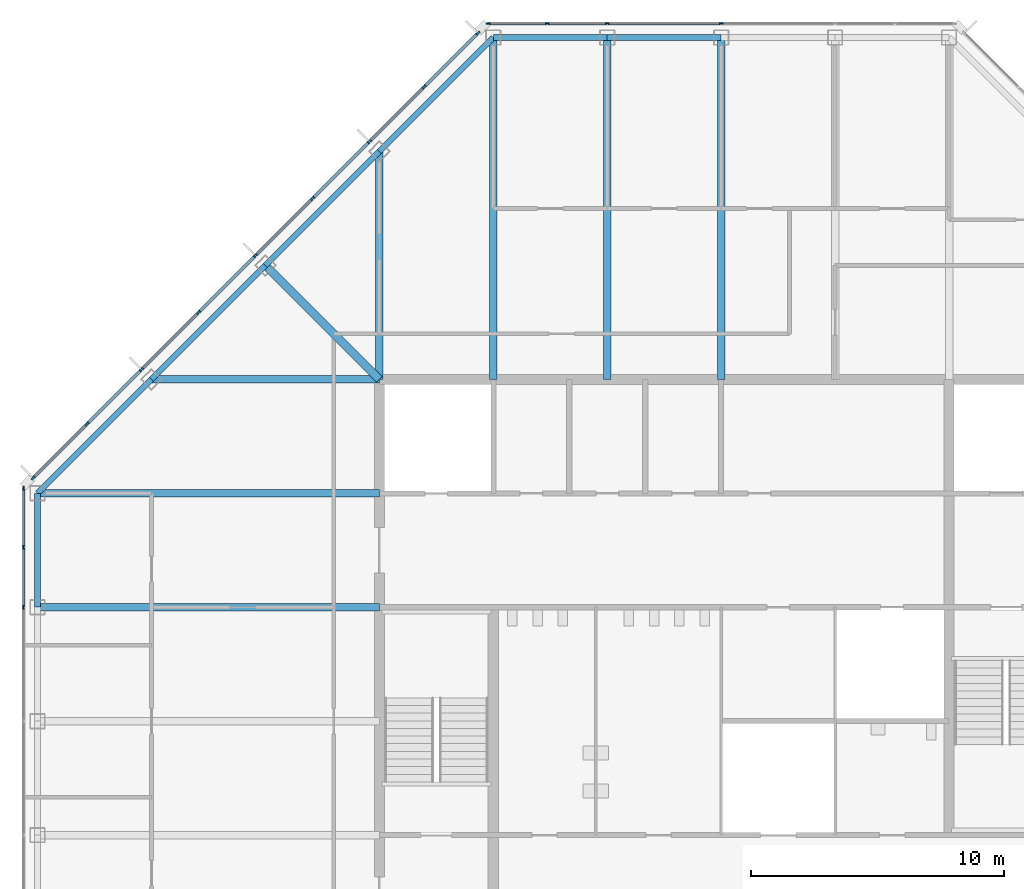
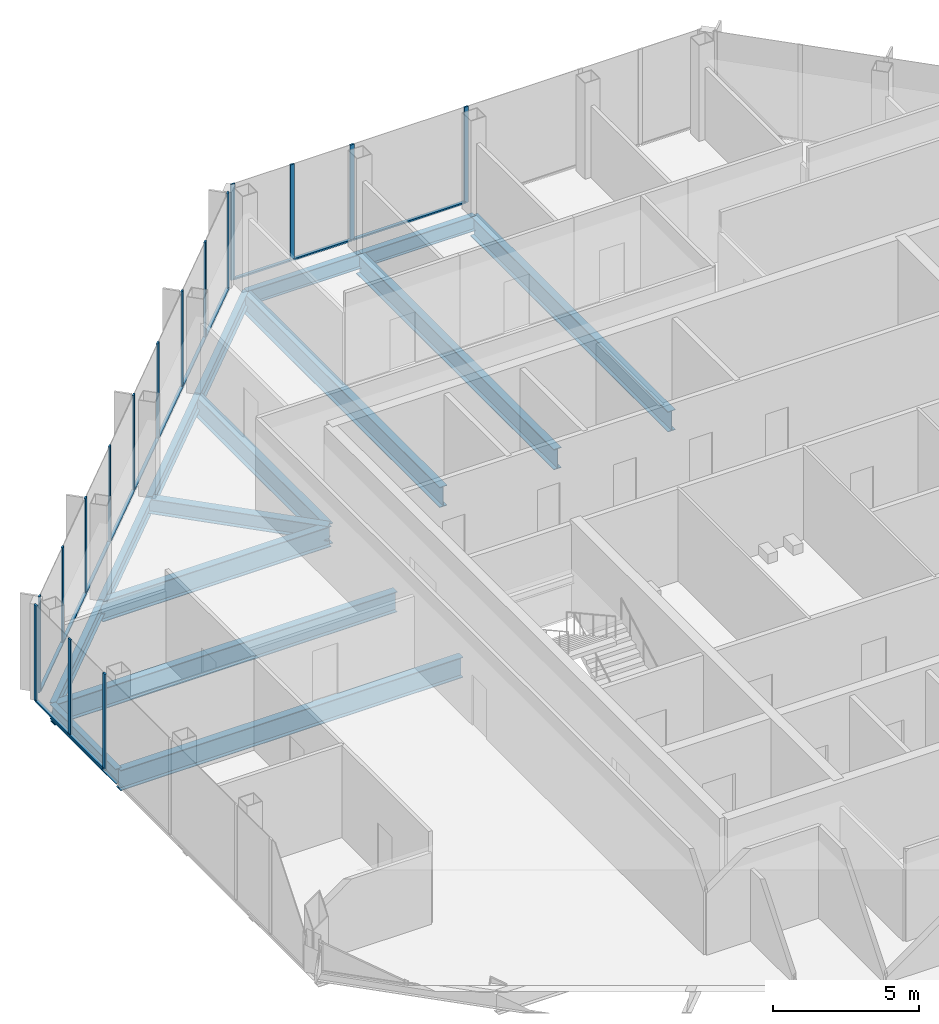
# One storey, part 6 of 14: 29 members, 15 beams, 3 elements without a shape of their own.
"""IFC4 building model written with IfcOpenShell, lengths in metres."""

from ifc_helpers import new_model, si_unit, direction, frame, origin, origin_2d, place, context, subcontext, project, spatial, rectangle, i_section, extrude, material, material_profile, profile_set, type_object, element, aggregate, save


model = new_model("IFC4")

# Units and contexts
model_context = context("Model", 3, precision=1e-05, world=origin(), true_north=direction((0.0, 1.0)))
body_context = subcontext(model_context, "Body", "Model", "MODEL_VIEW")
ifc_project = project(units=[si_unit("LENGTHUNIT", "METRE"), si_unit("AREAUNIT", "SQUARE_METRE"), si_unit("VOLUMEUNIT", "CUBIC_METRE"), si_unit("PLANEANGLEUNIT", "RADIAN"), si_unit("MASSUNIT", "GRAM", prefix="KILO")], contexts=[model_context])

# Site, building, storey
site_placement = place(None, origin())
site = spatial("IfcSite", under=ifc_project, at=site_placement, CompositionType="ELEMENT")
building_placement = place(site_placement, origin())
building = spatial("IfcBuilding", under=site, at=building_placement, Name="Corais Broadcast Tower", CompositionType="ELEMENT")
storey_placement = place(building_placement, frame((0.0, 0.0, 290.60009765625)))
storey = spatial("IfcBuildingStorey", under=building, at=storey_placement, Name="L68", CompositionType="ELEMENT", Elevation=290.60009765625)

# Beams
ifc_material_1 = material(Name="Steel ASTM A572 Grade 50", Category="steel")
ifc_material_profile_1 = material_profile(ifc_material_1, i_section(OverallWidth=0.323974609375, OverallDepth=0.611083984375, WebThickness=0.0126953125, FlangeThickness=0.01904296875, at=origin_2d()), Name="W610x155")
ifc_profile_set_1 = profile_set([ifc_material_profile_1], Name="Steel ASTM A572 Grade 50")
beam_type_1 = type_object("IfcBeamType", Name="Corner diagonal W610x155", PredefinedType="BEAM", material=ifc_profile_set_1)
beam_1_placement = place(storey_placement, frame((9.0, 45.0, -0.465576171875), z_axis=(0.707106781187, -0.707106781187, 0.0), x_axis=(0.707106781187, 0.707106781187, 0.0)))
element("IfcBeam", 1, at=beam_1_placement, inside=storey, type_object=beam_type_1, Name="B6 L/5 to K/6", PredefinedType="BEAM", context=body_context, shape_type="SweptSolid", body=[
    extrude(i_section(OverallWidth=0.323974609375, OverallDepth=0.611083984375, WebThickness=0.0126953125, FlangeThickness=0.01904296875, at=origin_2d()), origin(), (0.0, 0.0, 1.0), 6.364013671875),
])
ifc_material_2 = material(Name="Steel ASTM A572 Grade 50", Category="steel")
ifc_material_profile_2 = material_profile(ifc_material_2, i_section(OverallWidth=0.2939453125, OverallDepth=0.85107421875, WebThickness=0.01611328125, FlangeThickness=0.02685546875, at=origin_2d()), Name="W840x226")
ifc_profile_set_2 = profile_set([ifc_material_profile_2], Name="Steel ASTM A572 Grade 50")
beam_type_2 = type_object("IfcBeamType", Name="Floor beam W840x226", PredefinedType="BEAM", material=ifc_profile_set_2)
for number, where, z_axis, x_axis, name in (
    (2, (0.0, 31.5, -0.585693359375), (1.0, 0.0, 0.0), (0.0, 1.0, 0.0), "B1 H/3 to H/6"),
    (3, (0.0, 36.0, -0.585693359375), (1.0, 0.0, 0.0), (0.0, 1.0, 0.0), "B1 J/3 to J/6"),
):
    element("IfcBeam", number, at=place(storey_placement, frame(where, z_axis=z_axis, x_axis=x_axis)), inside=storey, type_object=beam_type_2, Name=name, PredefinedType="BEAM", context=body_context, shape_type="SweptSolid", body=[
        extrude(i_section(OverallWidth=0.2939453125, OverallDepth=0.85107421875, WebThickness=0.01611328125, FlangeThickness=0.02685546875, at=origin_2d()), origin(), (0.0, 0.0, 1.0), 13.5),
    ])
beam_2_placement = place(storey_placement, frame((13.5, 49.5, -0.585693359375), z_axis=(0.0, -1.0, 0.0), x_axis=(1.0, 0.0, 0.0)))
element("IfcBeam", 4, at=beam_2_placement, inside=storey, type_object=beam_type_2, Name="B1 M/6 to K/6", PredefinedType="BEAM", context=body_context, shape_type="SweptSolid", body=[
    extrude(i_section(OverallWidth=0.2939453125, OverallDepth=0.85107421875, WebThickness=0.01611328125, FlangeThickness=0.02685546875, at=origin_2d()), origin(), (0.0, 0.0, 1.0), 9.0),
])
for number, where, z_axis, x_axis, name in (
    (5, (18.0, 54.0, -0.585693359375), (0.0, -1.0, 0.0), (1.0, 0.0, 0.0), "B1 N/7 to K/7"),
    (6, (22.5, 54.0, -0.585693359375), (0.0, -1.0, 0.0), (1.0, 0.0, 0.0), "B1 N/8 to K/8"),
    (7, (27.0, 54.0, -0.585693359375), (0.0, -1.0, 0.0), (1.0, 0.0, 0.0), "B1 N/9 to K/9"),
):
    element("IfcBeam", number, at=place(storey_placement, frame(where, z_axis=z_axis, x_axis=x_axis)), inside=storey, type_object=beam_type_2, Name=name, PredefinedType="BEAM", context=body_context, shape_type="SweptSolid", body=[
        extrude(i_section(OverallWidth=0.2939453125, OverallDepth=0.85107421875, WebThickness=0.01611328125, FlangeThickness=0.02685546875, at=origin_2d()), origin(), (0.0, 0.0, 1.0), 13.5),
    ])
beam_3_placement = place(storey_placement, frame((4.5, 40.5, -0.585693359375), z_axis=(1.0, 0.0, 0.0), x_axis=(0.0, 1.0, 0.0)))
element("IfcBeam", 8, at=beam_3_placement, inside=storey, type_object=beam_type_2, Name="B1 K/4 to K/6", PredefinedType="BEAM", context=body_context, shape_type="SweptSolid", body=[
    extrude(i_section(OverallWidth=0.2939453125, OverallDepth=0.85107421875, WebThickness=0.01611328125, FlangeThickness=0.02685546875, at=origin_2d()), origin(), (0.0, 0.0, 1.0), 9.0),
])

# Curtain wall, members
ifc_material_3 = material(Name="Aluminium and glass", Category="aluminium")
curtain_wall_type = type_object("IfcCurtainWallType", Name="Unitised fritted curtain wall CW3", PredefinedType="NOTDEFINED", material=ifc_material_3)
curtain_wall_1_placement = place(storey_placement, origin())
curtain_wall_1 = element("IfcCurtainWall", 9, at=curtain_wall_1_placement, inside=storey, type_object=curtain_wall_type, Name="CW3 curtain wall L68 2", PredefinedType="NOTDEFINED")
ifc_material_4 = material(Name="Aluminium 6063-T6", Category="aluminium")
ifc_material_profile_3 = material_profile(ifc_material_4, rectangle(XDim=0.06494140625, YDim=0.159912109375, at=origin_2d()), Name="Mullion CW3 65x160")
ifc_profile_set_3 = profile_set([ifc_material_profile_3], Name="Aluminium 6063-T6")
member_type_1 = type_object("IfcMemberType", Name="Mullion CW3 65x160", PredefinedType="MULLION", material=ifc_profile_set_3)
member_1_placement = place(storey_placement, frame((-0.550048828125, 31.5, 0.0), z_axis=(0.0, 0.0, 1.0), x_axis=(-1.0, 0.0, 0.0)))
member_1 = element("IfcMember", 10, at=member_1_placement, type_object=member_type_1, Name="CW3 mullion 5", PredefinedType="MULLION", context=body_context, shape_type="SweptSolid", body=[
    extrude(rectangle(XDim=0.06494140625, YDim=0.159912109375, at=origin_2d()), origin(), (0.0, 0.0, 1.0), 4.0),
])
member_2_placement = place(storey_placement, frame((-0.550048828125, 33.864013671875, 0.0), z_axis=(0.0, 0.0, 1.0), x_axis=(-1.0, 0.0, 0.0)))
member_2 = element("IfcMember", 11, at=member_2_placement, type_object=member_type_1, Name="CW3 mullion 6", PredefinedType="MULLION", context=body_context, shape_type="SweptSolid", body=[
    extrude(rectangle(XDim=0.06494140625, YDim=0.159912109375, at=origin_2d()), origin(), (0.0, 0.0, 1.0), 4.0),
])
member_3_placement = place(storey_placement, frame((-0.550048828125, 36.1953125, 0.0), z_axis=(0.0, 0.0, 1.0), x_axis=(-1.0, 0.0, 0.0)))
member_3 = element("IfcMember", 12, at=member_3_placement, type_object=member_type_1, Name="CW3 mullion 7", PredefinedType="MULLION", context=body_context, shape_type="SweptSolid", body=[
    extrude(rectangle(XDim=0.06494140625, YDim=0.159912109375, at=origin_2d()), origin(), (0.0, 0.0, 1.0), 4.0),
])

curtain_wall_2_placement = place(storey_placement, origin())
curtain_wall_2 = element("IfcCurtainWall", 13, at=curtain_wall_2_placement, inside=storey, type_object=curtain_wall_type, Name="CW3 curtain wall L68 3", PredefinedType="NOTDEFINED")
member_4_placement = place(storey_placement, frame((-0.17333984375, 36.6044921875, 0.0), z_axis=(0.0, 0.0, 1.0), x_axis=(-0.707106781187, 0.707106781187, 0.0)))
member_4 = element("IfcMember", 14, at=member_4_placement, type_object=member_type_1, Name="CW3 mullion 1", PredefinedType="MULLION", context=body_context, shape_type="SweptSolid", body=[
    extrude(rectangle(XDim=0.06494140625, YDim=0.159912109375, at=origin_2d()), origin(), (0.0, 0.0, 1.0), 4.0),
])
member_5_placement = place(storey_placement, frame((1.957275390625, 38.735107421875, 0.0), z_axis=(0.0, 0.0, 1.0), x_axis=(-0.707106781187, 0.707106781187, 0.0)))
member_5 = element("IfcMember", 15, at=member_5_placement, type_object=member_type_1, Name="CW3 mullion 2", PredefinedType="MULLION", context=body_context, shape_type="SweptSolid", body=[
    extrude(rectangle(XDim=0.06494140625, YDim=0.159912109375, at=origin_2d()), origin(), (0.0, 0.0, 1.0), 4.0),
])
member_6_placement = place(storey_placement, frame((4.111083984375, 40.888916015625, 0.0), z_axis=(0.0, 0.0, 1.0), x_axis=(-0.707106781187, 0.707106781187, 0.0)))
member_6 = element("IfcMember", 16, at=member_6_placement, type_object=member_type_1, Name="CW3 mullion 3", PredefinedType="MULLION", context=body_context, shape_type="SweptSolid", body=[
    extrude(rectangle(XDim=0.06494140625, YDim=0.159912109375, at=origin_2d()), origin(), (0.0, 0.0, 1.0), 4.0),
])
member_7_placement = place(storey_placement, frame((6.361083984375, 43.138916015625, 0.0), z_axis=(0.0, 0.0, 1.0), x_axis=(-0.707106781187, 0.707106781187, 0.0)))
member_7 = element("IfcMember", 17, at=member_7_placement, type_object=member_type_1, Name="CW3 mullion 4", PredefinedType="MULLION", context=body_context, shape_type="SweptSolid", body=[
    extrude(rectangle(XDim=0.06494140625, YDim=0.159912109375, at=origin_2d()), origin(), (0.0, 0.0, 1.0), 4.0),
])
member_8_placement = place(storey_placement, frame((8.611083984375, 45.388916015625, 0.0), z_axis=(0.0, 0.0, 1.0), x_axis=(-0.707106781187, 0.707106781187, 0.0)))
member_8 = element("IfcMember", 18, at=member_8_placement, type_object=member_type_1, Name="CW3 mullion 5", PredefinedType="MULLION", context=body_context, shape_type="SweptSolid", body=[
    extrude(rectangle(XDim=0.06494140625, YDim=0.159912109375, at=origin_2d()), origin(), (0.0, 0.0, 1.0), 4.0),
])
member_9_placement = place(storey_placement, frame((10.861083984375, 47.638916015625, 0.0), z_axis=(0.0, 0.0, 1.0), x_axis=(-0.707106781187, 0.707106781187, 0.0)))
member_9 = element("IfcMember", 19, at=member_9_placement, type_object=member_type_1, Name="CW3 mullion 6", PredefinedType="MULLION", context=body_context, shape_type="SweptSolid", body=[
    extrude(rectangle(XDim=0.06494140625, YDim=0.159912109375, at=origin_2d()), origin(), (0.0, 0.0, 1.0), 4.0),
])
member_10_placement = place(storey_placement, frame((13.111083984375, 49.888916015625, 0.0), z_axis=(0.0, 0.0, 1.0), x_axis=(-0.707106781187, 0.707106781187, 0.0)))
member_10 = element("IfcMember", 20, at=member_10_placement, type_object=member_type_1, Name="CW3 mullion 7", PredefinedType="MULLION", context=body_context, shape_type="SweptSolid", body=[
    extrude(rectangle(XDim=0.06494140625, YDim=0.159912109375, at=origin_2d()), origin(), (0.0, 0.0, 1.0), 4.0),
])
member_11_placement = place(storey_placement, frame((15.264892578125, 52.042724609375, 0.0), z_axis=(0.0, 0.0, 1.0), x_axis=(-0.707106781187, 0.707106781187, 0.0)))
member_11 = element("IfcMember", 21, at=member_11_placement, type_object=member_type_1, Name="CW3 mullion 8", PredefinedType="MULLION", context=body_context, shape_type="SweptSolid", body=[
    extrude(rectangle(XDim=0.06494140625, YDim=0.159912109375, at=origin_2d()), origin(), (0.0, 0.0, 1.0), 4.0),
])
member_12_placement = place(storey_placement, frame((17.3955078125, 54.17333984375, 0.0), z_axis=(0.0, 0.0, 1.0), x_axis=(-0.707106781187, 0.707106781187, 0.0)))
member_12 = element("IfcMember", 22, at=member_12_placement, type_object=member_type_1, Name="CW3 mullion 9", PredefinedType="MULLION", context=body_context, shape_type="SweptSolid", body=[
    extrude(rectangle(XDim=0.06494140625, YDim=0.159912109375, at=origin_2d()), origin(), (0.0, 0.0, 1.0), 4.0),
])

curtain_wall_3_placement = place(storey_placement, origin())
curtain_wall_3 = element("IfcCurtainWall", 23, at=curtain_wall_3_placement, inside=storey, type_object=curtain_wall_type, Name="CW3 curtain wall L68 4", PredefinedType="NOTDEFINED")
member_13_placement = place(storey_placement, frame((17.8046875, 54.550048828125, 0.0), z_axis=(0.0, 0.0, 1.0), x_axis=(0.0, 1.0, 0.0)))
member_13 = element("IfcMember", 24, at=member_13_placement, type_object=member_type_1, Name="CW3 mullion 1", PredefinedType="MULLION", context=body_context, shape_type="SweptSolid", body=[
    extrude(rectangle(XDim=0.06494140625, YDim=0.159912109375, at=origin_2d()), origin(), (0.0, 0.0, 1.0), 4.0),
])
member_14_placement = place(storey_placement, frame((20.135986328125, 54.550048828125, 0.0), z_axis=(0.0, 0.0, 1.0), x_axis=(0.0, 1.0, 0.0)))
member_14 = element("IfcMember", 25, at=member_14_placement, type_object=member_type_1, Name="CW3 mullion 2", PredefinedType="MULLION", context=body_context, shape_type="SweptSolid", body=[
    extrude(rectangle(XDim=0.06494140625, YDim=0.159912109375, at=origin_2d()), origin(), (0.0, 0.0, 1.0), 4.0),
])
member_15_placement = place(storey_placement, frame((22.5, 54.550048828125, 0.0), z_axis=(0.0, 0.0, 1.0), x_axis=(0.0, 1.0, 0.0)))
member_15 = element("IfcMember", 26, at=member_15_placement, type_object=member_type_1, Name="CW3 mullion 3", PredefinedType="MULLION", context=body_context, shape_type="SweptSolid", body=[
    extrude(rectangle(XDim=0.06494140625, YDim=0.159912109375, at=origin_2d()), origin(), (0.0, 0.0, 1.0), 4.0),
])
member_16_placement = place(storey_placement, frame((27.0, 54.550048828125, 0.0), z_axis=(0.0, 0.0, 1.0), x_axis=(0.0, 1.0, 0.0)))
member_16 = element("IfcMember", 27, at=member_16_placement, type_object=member_type_1, Name="CW3 mullion 4", PredefinedType="MULLION", context=body_context, shape_type="SweptSolid", body=[
    extrude(rectangle(XDim=0.06494140625, YDim=0.159912109375, at=origin_2d()), origin(), (0.0, 0.0, 1.0), 4.0),
])

# Beams
ifc_material_5 = material(Name="Steel ASTM A572 Grade 50", Category="steel")
ifc_material_profile_4 = material_profile(ifc_material_5, i_section(OverallWidth=0.22998046875, OverallDepth=0.616943359375, WebThickness=0.01318359375, FlangeThickness=0.022216796875, at=origin_2d()), Name="W610x140")
ifc_profile_set_4 = profile_set([ifc_material_profile_4], Name="Steel ASTM A572 Grade 50")
beam_type_3 = type_object("IfcBeamType", Name="Spandrel W610x140", PredefinedType="BEAM", material=ifc_profile_set_4)
beam_4_placement = place(storey_placement, frame((0.0, 36.0, -0.468505859375), z_axis=(0.0, -1.0, 0.0), x_axis=(1.0, 0.0, 0.0)))
element("IfcBeam", 28, at=beam_4_placement, inside=storey, type_object=beam_type_3, Name="SB3 J/3 to H/3", PredefinedType="BEAM", context=body_context, shape_type="SweptSolid", body=[
    extrude(i_section(OverallWidth=0.22998046875, OverallDepth=0.616943359375, WebThickness=0.01318359375, FlangeThickness=0.022216796875, at=origin_2d()), origin(), (0.0, 0.0, 1.0), 4.5),
])
for number, where, z_axis, x_axis, name in (
    (29, (13.5, 49.5, -0.468505859375), (-0.707106781187, -0.707106781187, 0.0), (0.707106781187, -0.707106781187, 0.0), "SB3 M/6 to L/5"),
    (30, (18.0, 54.0, -0.468505859375), (-0.707106781187, -0.707106781187, 0.0), (0.707106781187, -0.707106781187, 0.0), "SB3 N/7 to M/6"),
):
    element("IfcBeam", number, at=place(storey_placement, frame(where, z_axis=z_axis, x_axis=x_axis)), inside=storey, type_object=beam_type_3, Name=name, PredefinedType="BEAM", context=body_context, shape_type="SweptSolid", body=[
        extrude(i_section(OverallWidth=0.22998046875, OverallDepth=0.616943359375, WebThickness=0.01318359375, FlangeThickness=0.022216796875, at=origin_2d()), origin(), (0.0, 0.0, 1.0), 6.364013671875),
    ])
for number, where, z_axis, x_axis, name in (
    (31, (22.5, 54.0, -0.468505859375), (-1.0, 0.0, 0.0), (0.0, -1.0, 0.0), "SB3 N/8 to N/7"),
    (32, (27.0, 54.0, -0.468505859375), (-1.0, 0.0, 0.0), (0.0, -1.0, 0.0), "SB3 N/9 to N/8"),
):
    element("IfcBeam", number, at=place(storey_placement, frame(where, z_axis=z_axis, x_axis=x_axis)), inside=storey, type_object=beam_type_3, Name=name, PredefinedType="BEAM", context=body_context, shape_type="SweptSolid", body=[
        extrude(i_section(OverallWidth=0.22998046875, OverallDepth=0.616943359375, WebThickness=0.01318359375, FlangeThickness=0.022216796875, at=origin_2d()), origin(), (0.0, 0.0, 1.0), 4.5),
    ])
for number, where, z_axis, x_axis, name in (
    (33, (4.5, 40.5, -0.468505859375), (-0.707106781187, -0.707106781187, 0.0), (0.707106781187, -0.707106781187, 0.0), "SB3 K/4 to J/3"),
    (34, (9.0, 45.0, -0.468505859375), (-0.707106781187, -0.707106781187, 0.0), (0.707106781187, -0.707106781187, 0.0), "SB3 L/5 to K/4"),
):
    element("IfcBeam", number, at=place(storey_placement, frame(where, z_axis=z_axis, x_axis=x_axis)), inside=storey, type_object=beam_type_3, Name=name, PredefinedType="BEAM", context=body_context, shape_type="SweptSolid", body=[
        extrude(i_section(OverallWidth=0.22998046875, OverallDepth=0.616943359375, WebThickness=0.01318359375, FlangeThickness=0.022216796875, at=origin_2d()), origin(), (0.0, 0.0, 1.0), 6.364013671875),
    ])

# Member
ifc_material_6 = material(Name="Aluminium 6063-T6", Category="aluminium")
ifc_material_profile_5 = material_profile(ifc_material_6, rectangle(XDim=0.1201171875, YDim=0.06494140625, at=origin_2d()), Name="Transom CW3 65x120")
ifc_profile_set_5 = profile_set([ifc_material_profile_5], Name="Aluminium 6063-T6")
member_type_2 = type_object("IfcMemberType", Name="Transom CW3 65x120", PredefinedType="USERDEFINED", material=ifc_profile_set_5)
member_17_placement = place(storey_placement, frame((-0.550048828125, 31.532470703125, 0.032470703125), z_axis=(0.0, 1.0, 0.0), x_axis=(-1.0, 0.0, 0.0)))
member_17 = element("IfcMember", 35, at=member_17_placement, type_object=member_type_2, Name="CW3 transom 5.1", ObjectType="TRANSOM", PredefinedType="USERDEFINED", context=body_context, shape_type="SweptSolid", body=[
    extrude(rectangle(XDim=0.1201171875, YDim=0.06494140625, at=origin_2d()), origin(), (0.0, 0.0, 1.0), 2.298828125),
])

member_18_placement = place(storey_placement, frame((-0.550048828125, 33.896484375, 0.032470703125), z_axis=(0.0, 1.0, 0.0), x_axis=(-1.0, 0.0, 0.0)))
member_18 = element("IfcMember", 36, at=member_18_placement, type_object=member_type_2, Name="CW3 transom 6.1", ObjectType="TRANSOM", PredefinedType="USERDEFINED", context=body_context, shape_type="SweptSolid", body=[
    extrude(rectangle(XDim=0.1201171875, YDim=0.06494140625, at=origin_2d()), origin(), (0.0, 0.0, 1.0), 2.266357421875),
])

aggregate(curtain_wall_1, [member_1, member_2, member_3, member_17, member_18])

member_19_placement = place(storey_placement, frame((-0.150390625, 36.62744140625, 0.032470703125), z_axis=(0.707106781187, 0.707106781187, 0.0), x_axis=(-0.707106781187, 0.707106781187, 0.0)))
member_19 = element("IfcMember", 37, at=member_19_placement, type_object=member_type_2, Name="CW3 transom 1.1", ObjectType="TRANSOM", PredefinedType="USERDEFINED", context=body_context, shape_type="SweptSolid", body=[
    extrude(rectangle(XDim=0.1201171875, YDim=0.06494140625, at=origin_2d()), origin(), (0.0, 0.0, 1.0), 2.9482421875),
])

member_20_placement = place(storey_placement, frame((1.980224609375, 38.758056640625, 0.032470703125), z_axis=(0.707106781187, 0.707106781187, 0.0), x_axis=(-0.707106781187, 0.707106781187, 0.0)))
member_20 = element("IfcMember", 38, at=member_20_placement, type_object=member_type_2, Name="CW3 transom 2.1", ObjectType="TRANSOM", PredefinedType="USERDEFINED", context=body_context, shape_type="SweptSolid", body=[
    extrude(rectangle(XDim=0.1201171875, YDim=0.06494140625, at=origin_2d()), origin(), (0.0, 0.0, 1.0), 2.98095703125),
])

member_21_placement = place(storey_placement, frame((4.134033203125, 40.911865234375, 0.032470703125), z_axis=(0.707106781187, 0.707106781187, 0.0), x_axis=(-0.707106781187, 0.707106781187, 0.0)))
member_21 = element("IfcMember", 39, at=member_21_placement, type_object=member_type_2, Name="CW3 transom 3.1", ObjectType="TRANSOM", PredefinedType="USERDEFINED", context=body_context, shape_type="SweptSolid", body=[
    extrude(rectangle(XDim=0.1201171875, YDim=0.06494140625, at=origin_2d()), origin(), (0.0, 0.0, 1.0), 3.1171875),
])

member_22_placement = place(storey_placement, frame((6.384033203125, 43.161865234375, 0.032470703125), z_axis=(0.707106781187, 0.707106781187, 0.0), x_axis=(-0.707106781187, 0.707106781187, 0.0)))
member_22 = element("IfcMember", 40, at=member_22_placement, type_object=member_type_2, Name="CW3 transom 4.1", ObjectType="TRANSOM", PredefinedType="USERDEFINED", context=body_context, shape_type="SweptSolid", body=[
    extrude(rectangle(XDim=0.1201171875, YDim=0.06494140625, at=origin_2d()), origin(), (0.0, 0.0, 1.0), 3.1171875),
])

member_23_placement = place(storey_placement, frame((8.634033203125, 45.411865234375, 0.032470703125), z_axis=(0.707106781187, 0.707106781187, 0.0), x_axis=(-0.707106781187, 0.707106781187, 0.0)))
member_23 = element("IfcMember", 41, at=member_23_placement, type_object=member_type_2, Name="CW3 transom 5.1", ObjectType="TRANSOM", PredefinedType="USERDEFINED", context=body_context, shape_type="SweptSolid", body=[
    extrude(rectangle(XDim=0.1201171875, YDim=0.06494140625, at=origin_2d()), origin(), (0.0, 0.0, 1.0), 3.1171875),
])

member_24_placement = place(storey_placement, frame((10.884033203125, 47.661865234375, 0.032470703125), z_axis=(0.707106781187, 0.707106781187, 0.0), x_axis=(-0.707106781187, 0.707106781187, 0.0)))
member_24 = element("IfcMember", 42, at=member_24_placement, type_object=member_type_2, Name="CW3 transom 6.1", ObjectType="TRANSOM", PredefinedType="USERDEFINED", context=body_context, shape_type="SweptSolid", body=[
    extrude(rectangle(XDim=0.1201171875, YDim=0.06494140625, at=origin_2d()), origin(), (0.0, 0.0, 1.0), 3.1171875),
])

member_25_placement = place(storey_placement, frame((13.134033203125, 49.911865234375, 0.032470703125), z_axis=(0.70714773134, 0.707065828661, 0.0), x_axis=(-0.707065828661, 0.70714773134, 0.0)))
member_25 = element("IfcMember", 43, at=member_25_placement, type_object=member_type_2, Name="CW3 transom 7.1", ObjectType="TRANSOM", PredefinedType="USERDEFINED", context=body_context, shape_type="SweptSolid", body=[
    extrude(rectangle(XDim=0.1201171875, YDim=0.06494140625, at=origin_2d()), origin(), (0.0, 0.0, 1.0), 2.98095703125),
])

member_26_placement = place(storey_placement, frame((15.287841796875, 52.065673828125, 0.032470703125), z_axis=(0.707106781187, 0.707106781187, 0.0), x_axis=(-0.707106781187, 0.707106781187, 0.0)))
member_26 = element("IfcMember", 44, at=member_26_placement, type_object=member_type_2, Name="CW3 transom 8.1", ObjectType="TRANSOM", PredefinedType="USERDEFINED", context=body_context, shape_type="SweptSolid", body=[
    extrude(rectangle(XDim=0.1201171875, YDim=0.06494140625, at=origin_2d()), origin(), (0.0, 0.0, 1.0), 2.9482421875),
])

aggregate(curtain_wall_2, [member_4, member_5, member_6, member_7, member_8, member_9, member_10, member_11, member_12, member_19, member_20, member_21, member_22, member_23, member_24, member_25, member_26])

member_27_placement = place(storey_placement, frame((17.837158203125, 54.550048828125, 0.032470703125), z_axis=(1.0, 0.0, 0.0), x_axis=(0.0, 1.0, 0.0)))
member_27 = element("IfcMember", 45, at=member_27_placement, type_object=member_type_2, Name="CW3 transom 1.1", ObjectType="TRANSOM", PredefinedType="USERDEFINED", context=body_context, shape_type="SweptSolid", body=[
    extrude(rectangle(XDim=0.1201171875, YDim=0.06494140625, at=origin_2d()), origin(), (0.0, 0.0, 1.0), 2.266357421875),
])

member_28_placement = place(storey_placement, frame((20.168701171875, 54.550048828125, 0.032470703125), z_axis=(1.0, 0.0, 0.0), x_axis=(0.0, 1.0, 0.0)))
member_28 = element("IfcMember", 46, at=member_28_placement, type_object=member_type_2, Name="CW3 transom 2.1", ObjectType="TRANSOM", PredefinedType="USERDEFINED", context=body_context, shape_type="SweptSolid", body=[
    extrude(rectangle(XDim=0.1201171875, YDim=0.06494140625, at=origin_2d()), origin(), (0.0, 0.0, 1.0), 2.298828125),
])

member_29_placement = place(storey_placement, frame((22.532470703125, 54.550048828125, 0.032470703125), z_axis=(1.0, 0.0, 0.0), x_axis=(0.0, 1.0, 0.0)))
member_29 = element("IfcMember", 47, at=member_29_placement, type_object=member_type_2, Name="CW3 transom 3.1", ObjectType="TRANSOM", PredefinedType="USERDEFINED", context=body_context, shape_type="SweptSolid", body=[
    extrude(rectangle(XDim=0.1201171875, YDim=0.06494140625, at=origin_2d()), origin(), (0.0, 0.0, 1.0), 4.43505859375),
])

aggregate(curtain_wall_3, [member_13, member_14, member_15, member_16, member_27, member_28, member_29])

save(model, "model.ifc")
